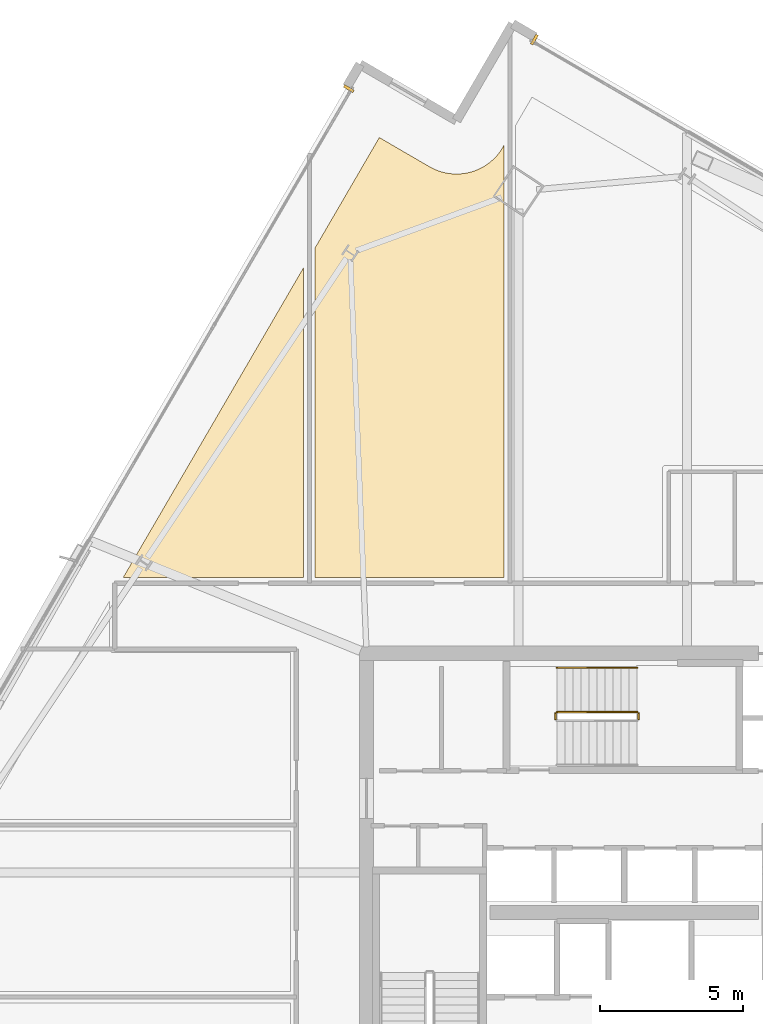
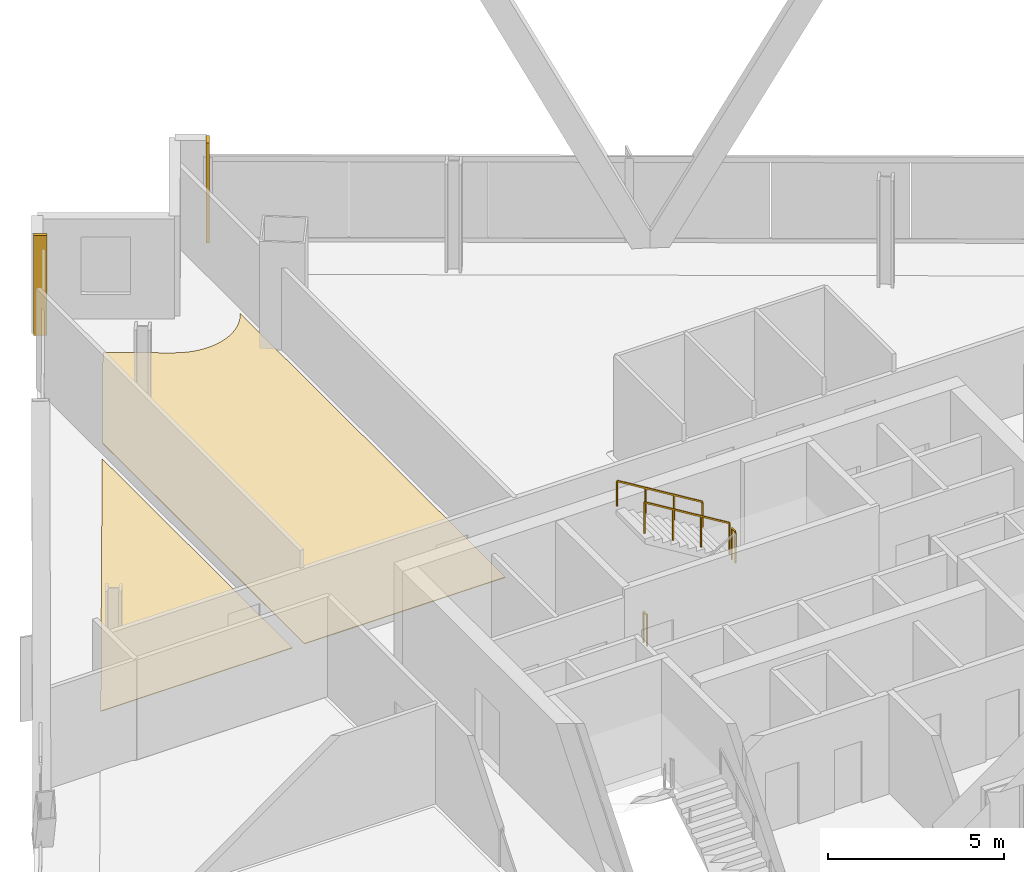
# One storey, part 28 of 29: 4 coverings, 4 railings.
"""IFC4 building model written with IfcOpenShell, lengths in metres."""

from ifc_helpers import new_model, si_unit, direction, frame, origin, origin_2d, place, context, subcontext, project, spatial, polyline, rectangle, outline, extrude, source, transform, mapped, material, layer, layer_set, type_object, element, save


model = new_model("IFC4")

# Units and contexts
model_context = context("Model", 3, precision=1e-05, world=origin(), true_north=direction((0.0, 1.0)))
body_context = subcontext(model_context, "Body", "Model", "MODEL_VIEW")
ifc_project = project(units=[si_unit("LENGTHUNIT", "METRE"), si_unit("AREAUNIT", "SQUARE_METRE"), si_unit("VOLUMEUNIT", "CUBIC_METRE"), si_unit("PLANEANGLEUNIT", "RADIAN"), si_unit("MASSUNIT", "GRAM", prefix="KILO")], contexts=[model_context])

# Site, building, storey
site_placement = place(None, origin())
site = spatial("IfcSite", under=ifc_project, at=site_placement, CompositionType="ELEMENT")
building_placement = place(site_placement, origin())
building = spatial("IfcBuilding", under=site, at=building_placement, Name="Haldenkirk Collegiate Tower", CompositionType="ELEMENT")
storey_placement = place(building_placement, frame((0.0, 0.0, 228.449951171875)))
storey = spatial("IfcBuildingStorey", under=building, at=storey_placement, Name="L57", CompositionType="ELEMENT", Elevation=228.449951171875)

# Coverings
ifc_material_1 = material(Name="Polished collegiate terrazzo", Category="concrete")
ifc_layer_1 = layer(ifc_material_1, 0.02490234375)
ifc_layer_set_1 = layer_set([ifc_layer_1], Name="Polished collegiate terrazzo")
covering_type_1 = type_object("IfcCoveringType", Name="COV-FLOOR-TERRAZZO", PredefinedType="FLOORING", material=ifc_layer_set_1)
covering_1_placement = place(storey_placement, origin())
element("IfcCovering", 1, at=covering_1_placement, inside=storey, type_object=covering_type_1, Name="L57 academic room finish 06", PredefinedType="FLOORING", context=body_context, shape_type="SweptSolid", body=[
    extrude(outline(polyline([(27.444580078125, 52.014404296875), (29.198974609375, 50.9931640625), (29.2041015625, 50.990234375), (29.356689453125, 50.911376953125), (29.367431640625, 50.906494140625), (29.52685546875, 50.8427734375), (29.5380859375, 50.8388671875), (29.703125, 50.791259765625), (29.714599609375, 50.78857421875), (29.88330078125, 50.757080078125), (29.89501953125, 50.755615234375), (30.06591796875, 50.740966796875), (30.077880859375, 50.740478515625), (30.249755859375, 50.742919921875), (30.261474609375, 50.743408203125), (30.431884765625, 50.762451171875), (30.443603515625, 50.764404296875), (30.611572265625, 50.800048828125), (30.623046875, 50.802978515625), (30.78662109375, 50.85498046875), (30.7978515625, 50.859130859375), (30.95556640625, 50.927001953125), (30.966064453125, 50.93212890625), (31.116455078125, 51.014892578125), (31.12646484375, 51.021240234375), (31.26806640625, 51.118408203125), (31.277587890625, 51.12548828125), (31.408935546875, 51.236328125), (31.41748046875, 51.244140625), (31.537353515625, 51.3671875), (31.545166015625, 51.376220703125), (31.65234375, 51.51025390625), (31.6591796875, 51.519775390625), (31.752685546875, 51.663818359375), (31.755859375, 51.668701171875), (31.800048828125, 51.744384765625), (31.800048828125, 36.64990234375), (25.199951171875, 36.64990234375), (25.199951171875, 48.15771484375), (27.444580078125, 52.014404296875)])), origin(), (0.0, 0.0, 1.0), 0.025146484375),
])
ifc_material_2 = material(Name="Engineered collegiate oak acoustic flooring", Category="wood")
ifc_layer_2 = layer(ifc_material_2, 0.02197265625)
ifc_layer_set_2 = layer_set([ifc_layer_2], Name="Engineered collegiate oak acoustic flooring")
covering_type_2 = type_object("IfcCoveringType", Name="COV-FLOOR-TIMBER", PredefinedType="FLOORING", material=ifc_layer_set_2)
covering_2_placement = place(storey_placement, origin())
element("IfcCovering", 2, at=covering_2_placement, inside=storey, type_object=covering_type_2, Name="L57 academic room finish 05", PredefinedType="FLOORING", context=body_context, shape_type="SweptSolid", body=[
    extrude(outline(polyline([(24.800048828125, 47.470703125), (24.800048828125, 36.64990234375), (18.502197265625, 36.64990234375), (24.800048828125, 47.470703125)])), origin(), (0.0, 0.0, 1.0), 0.02197265625),
])

# Railings
ifc_material_3 = material(Name="Painted architectural tubular steel", Category="steel")
railing_type_1 = type_object("IfcRailingType", Name="RLG-STAIR-GUARD-1100", PredefinedType="BALUSTRADE", material=ifc_material_3)
railing_1_placement = place(storey_placement, frame((36.5, 31.699951171875, 1.875)))
element("IfcRailing", 3, at=railing_1_placement, inside=storey, type_object=railing_type_1, Name="L57 ST-3 stair guard 2", PredefinedType="BALUSTRADE", context=body_context, shape_type="SweptSolid", body=[
    extrude(rectangle(XDim=0.048095703125, YDim=0.048095703125, at=origin_2d()), frame((0.0, 0.0, 1.076171875), z_axis=(0.0, 1.0, 0.0), x_axis=(-1.0, 0.0, 0.0)), (0.0, 0.0, 1.0), 0.199951171875),
    extrude(rectangle(XDim=0.0419921875, YDim=0.0419921875, at=origin_2d()), origin(), (0.0, 0.0, 1.0), 1.052001953125),
    extrude(rectangle(XDim=0.0419921875, YDim=0.0419921875, at=origin_2d()), frame((0.0, 0.199951171875, 0.0)), (0.0, 0.0, 1.0), 1.052001953125),
])
railing_2_placement = place(storey_placement, frame((36.449951171875, 31.949951171875, 2.04541015625)))
element("IfcRailing", 4, at=railing_2_placement, inside=storey, type_object=railing_type_1, Name="L57 ST-3 stair guard 3", PredefinedType="BALUSTRADE", context=body_context, shape_type="SweptSolid", body=[
    extrude(rectangle(XDim=0.048095703125, YDim=0.048095703125, at=origin_2d()), frame((0.0, 0.0, 1.076171875), z_axis=(-0.854169791009, 0.0, 0.51999420009), x_axis=(0.0, -1.0, 0.0)), (0.0, 0.0, 1.0), 3.278076171875),
    extrude(rectangle(XDim=0.0419921875, YDim=0.0419921875, at=origin_2d()), origin(), (0.0, 0.0, 1.0), 1.052001953125),
    extrude(rectangle(XDim=0.0419921875, YDim=0.0419921875, at=origin_2d()), frame((-0.933349609375, 0.0, 0.568115234375)), (0.0, 0.0, 1.0), 1.052001953125),
    extrude(rectangle(XDim=0.0419921875, YDim=0.0419921875, at=origin_2d()), frame((-1.86669921875, 0.0, 1.136474609375)), (0.0, 0.0, 1.0), 1.052001953125),
    extrude(rectangle(XDim=0.0419921875, YDim=0.0419921875, at=origin_2d()), frame((-2.800048828125, 0.0, 1.70458984375)), (0.0, 0.0, 1.0), 1.052001953125),
])
railing_3_placement = place(storey_placement, frame((33.60009765625, 31.699951171875, 0.0)))
element("IfcRailing", 5, at=railing_3_placement, inside=storey, type_object=railing_type_1, Name="L57 ST-3 stair guard 4", PredefinedType="BALUSTRADE", context=body_context, shape_type="SweptSolid", body=[
    extrude(rectangle(XDim=0.048095703125, YDim=0.048095703125, at=origin_2d()), frame((0.0, 0.0, 1.076171875), z_axis=(0.0, 1.0, 0.0), x_axis=(-1.0, 0.0, 0.0)), (0.0, 0.0, 1.0), 0.199951171875),
    extrude(rectangle(XDim=0.0419921875, YDim=0.0419921875, at=origin_2d()), origin(), (0.0, 0.0, 1.0), 1.052001953125),
    extrude(rectangle(XDim=0.0419921875, YDim=0.0419921875, at=origin_2d()), frame((0.0, 0.199951171875, 0.0)), (0.0, 0.0, 1.0), 1.052001953125),
])
railing_type_2 = type_object("IfcRailingType", Name="RLG-STAIR-HANDRAIL-900", PredefinedType="HANDRAIL", material=ifc_material_3)
railing_4_placement = place(storey_placement, frame((36.449951171875, 33.5, 2.04541015625)))
element("IfcRailing", 6, at=railing_4_placement, inside=storey, type_object=railing_type_2, Name="L57 ST-3 stair handrail 2", PredefinedType="HANDRAIL", context=body_context, shape_type="SweptSolid", body=[
    extrude(rectangle(XDim=0.048095703125, YDim=0.048095703125, at=origin_2d()), frame((0.0, 0.0, 0.8759765625), z_axis=(-0.854169791009, 0.0, 0.51999420009), x_axis=(0.0, -1.0, 0.0)), (0.0, 0.0, 1.0), 3.278076171875),
    extrude(rectangle(XDim=0.0419921875, YDim=0.0419921875, at=origin_2d()), origin(), (0.0, 0.0, 1.0), 0.851806640625),
    extrude(rectangle(XDim=0.0419921875, YDim=0.0419921875, at=origin_2d()), frame((-0.933349609375, 0.0, 0.568115234375)), (0.0, 0.0, 1.0), 0.851806640625),
    extrude(rectangle(XDim=0.0419921875, YDim=0.0419921875, at=origin_2d()), frame((-1.86669921875, 0.0, 1.136474609375)), (0.0, 0.0, 1.0), 0.851806640625),
    extrude(rectangle(XDim=0.0419921875, YDim=0.0419921875, at=origin_2d()), frame((-2.800048828125, 0.0, 1.70458984375)), (0.0, 0.0, 1.0), 0.851806640625),
])

# Coverings
ifc_material_4 = material(Name="Anodised architectural bronze aluminium", Category="aluminium")
ifc_layer_3 = layer(ifc_material_4, 0.06005859375)
ifc_layer_set_3 = layer_set([ifc_layer_3], Name="Anodised architectural bronze aluminium")
covering_type_3 = type_object("IfcCoveringType", Name="COV-CLAD-BRONZE-60", PredefinedType="CLADDING", material=ifc_layer_set_3)
shared_shape = source(origin(), body_context, "Body", "SweptSolid", [
    extrude(rectangle(XDim=0.10009765625, YDim=0.3798828125, at=origin_2d()), origin(), (0.0, 0.0, 1.0), 3.469970703125),
])
for number, where, z_axis, x_axis, name in (
    (7, (32.860107421875, 55.4345703125, 0.0), (0.0, 0.0, 1.0), (0.864274801954, -0.50301994663, 0.0), "L57 recessed curtain-wall bronze jamb closure EJL"),
    (8, (26.37890625, 53.72216796875, 0.0), (0.0, 0.0, 1.0), (0.50301994663, 0.864274801954, 0.0), "L57 recessed curtain-wall bronze jamb closure NJR"),
):
    element("IfcCovering", number, at=place(storey_placement, frame(where, z_axis=z_axis, x_axis=x_axis)), inside=storey, type_object=covering_type_3, Name=name, PredefinedType="CLADDING", context=body_context, shape_type="MappedRepresentation", body=[
        mapped(shared_shape, transform((0.0, 0.0, 0.0), x_axis=(1.0, 0.0, 0.0), y_axis=(0.0, 1.0, 0.0), z_axis=(0.0, 0.0, 1.0), scale=1.0)),
    ])

save(model, "model.ifc")
